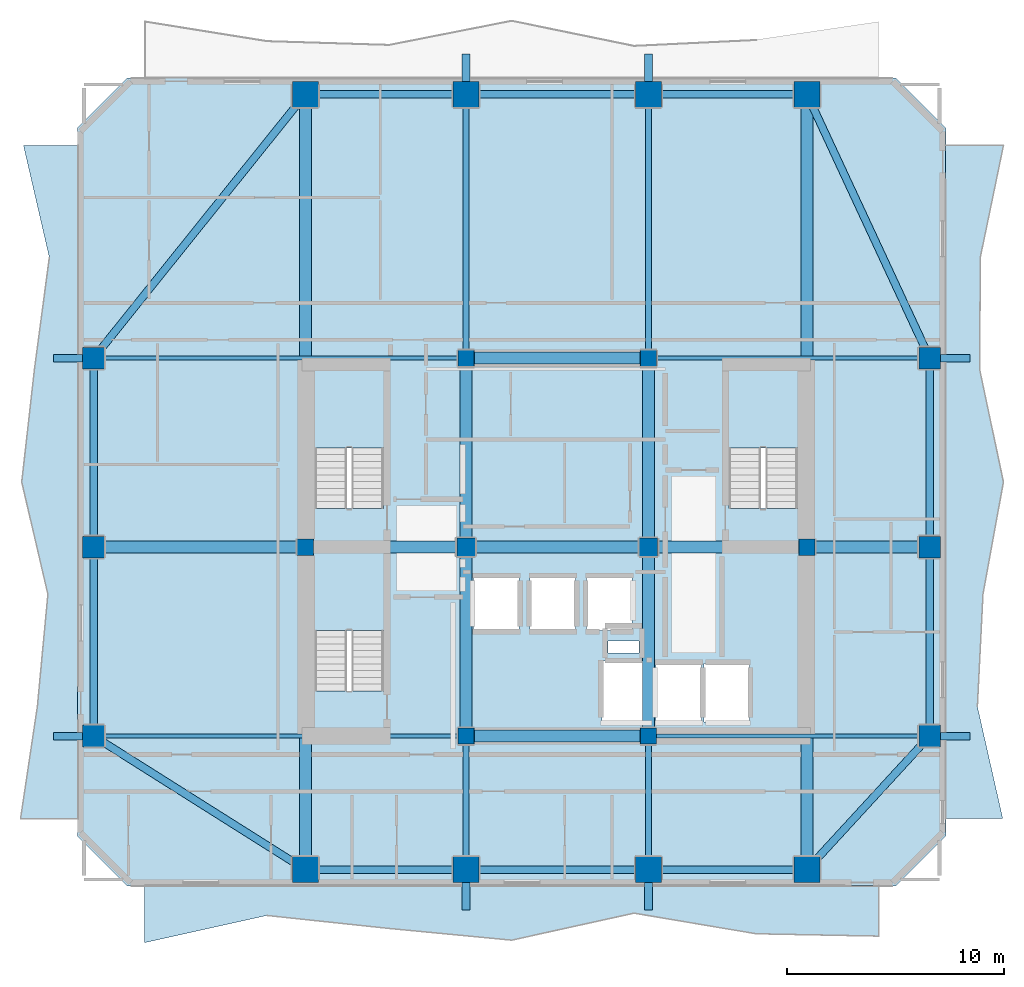
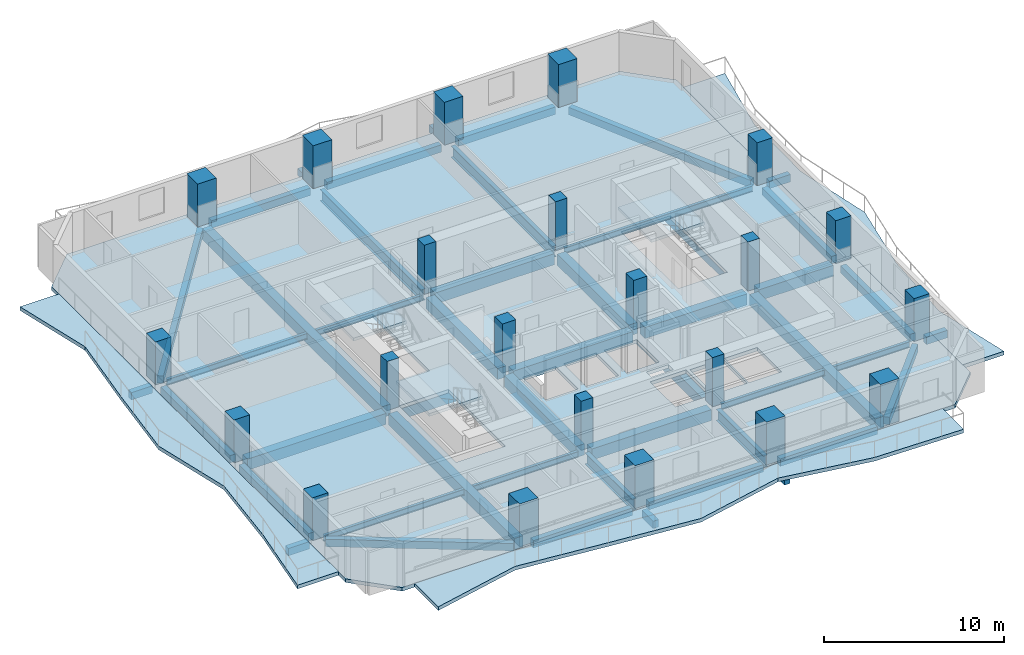
# One storey, part 1 of 10: 45 beams, 22 columns, 7 slabs, 3 elements without a shape of their own.
"""IFC4 building model written with IfcOpenShell, lengths in metres."""

from ifc_helpers import new_model, si_unit, direction, frame, origin, origin_2d, place, context, subcontext, project, spatial, polyline, rectangle, i_section, outline, extrude, material, layer, layer_set, material_profile, profile_set, type_object, element, aggregate, save


model = new_model("IFC4")

# Units and contexts
model_context = context("Model", 3, precision=1e-05, world=origin(), true_north=direction((0.0, 1.0)))
body_context = subcontext(model_context, "Body", "Model", "MODEL_VIEW")
ifc_project = project(units=[si_unit("LENGTHUNIT", "METRE"), si_unit("AREAUNIT", "SQUARE_METRE"), si_unit("VOLUMEUNIT", "CUBIC_METRE"), si_unit("PLANEANGLEUNIT", "RADIAN"), si_unit("MASSUNIT", "GRAM", prefix="KILO")], contexts=[model_context])

# Site, building, storey
site_placement = place(None, origin())
site = spatial("IfcSite", under=ifc_project, at=site_placement, CompositionType="ELEMENT")
building_placement = place(site_placement, origin())
building = spatial("IfcBuilding", under=site, at=building_placement, Name="Solanera Arch Residences", CompositionType="ELEMENT")
storey_placement = place(building_placement, frame((0.0, 0.0, 186.840087890625)))
storey = spatial("IfcBuildingStorey", under=building, at=storey_placement, Name="L54", CompositionType="ELEMENT", Elevation=186.840087890625)

# Columns
ifc_material_1 = material(Name="Concrete C55/67 (f'c = 60 MPa)", Category="concrete")
ifc_material_profile_1 = material_profile(ifc_material_1, rectangle(XDim=1.0, YDim=1.0, at=origin_2d()))
ifc_profile_set_1 = profile_set([ifc_material_profile_1], Name="Concrete C55/67 (f'c = 60 MPa)")
column_type_1 = type_object("IfcColumnType", Name="Structural Column RC-COL-1000X1000", PredefinedType="COLUMN", material=ifc_profile_set_1)
for number, where, z_axis, x_axis, name in (
    (1, (3.64990234375, 22.0, 0.0), (0.0, 0.0, 1.0), (1.0, 0.0, 0.0), "COL-L54-TWR-09"),
    (2, (42.14990234375, 22.0, 0.0), (0.0, 0.0, 1.0), (1.0, 0.0, 0.0), "COL-L54-TWR-10"),
    (3, (3.64990234375, 30.699951171875, 0.0), (0.0, 0.0, 1.0), (1.0, 0.0, 0.0), "COL-L54-TWR-11"),
    (4, (42.14990234375, 30.699951171875, 0.0), (0.0, 0.0, 1.0), (1.0, 0.0, 0.0), "COL-L54-TWR-12"),
    (5, (3.64990234375, 39.39990234375, 0.0), (0.0, 0.0, 1.0), (1.0, 0.0, 0.0), "COL-L54-TWR-13"),
    (6, (42.14990234375, 39.39990234375, 0.0), (0.0, 0.0, 1.0), (1.0, 0.0, 0.0), "COL-L54-TWR-14"),
):
    element("IfcColumn", number, at=place(storey_placement, frame(where, z_axis=z_axis, x_axis=x_axis)), inside=storey, type_object=column_type_1, Name=name, PredefinedType="COLUMN", context=body_context, shape_type="SweptSolid", body=[
        extrude(rectangle(XDim=1.0, YDim=1.0, at=origin_2d()), origin(), (0.0, 0.0, 1.0), 2.89990234375),
    ])
ifc_material_2 = material(Name="Concrete C55/67 (f'c = 60 MPa)", Category="concrete")
ifc_material_profile_2 = material_profile(ifc_material_2, rectangle(XDim=1.199951171875, YDim=1.199951171875, at=origin_2d()))
ifc_profile_set_2 = profile_set([ifc_material_profile_2], Name="Concrete C55/67 (f'c = 60 MPa)")
column_type_2 = type_object("IfcColumnType", Name="Structural Column RC-COL-1200X1200", PredefinedType="COLUMN", material=ifc_profile_set_2)
for number, where, z_axis, x_axis, name in (
    (7, (13.39990234375, 15.85009765625, 0.0), (0.0, 0.0, 1.0), (1.0, 0.0, 0.0), "COL-L54-TWR-01"),
    (8, (13.39990234375, 51.550048828125, 0.0), (0.0, 0.0, 1.0), (1.0, 0.0, 0.0), "COL-L54-TWR-02"),
    (9, (20.800048828125, 15.85009765625, 0.0), (0.0, 0.0, 1.0), (1.0, 0.0, 0.0), "COL-L54-TWR-03"),
    (10, (20.800048828125, 51.550048828125, 0.0), (0.0, 0.0, 1.0), (1.0, 0.0, 0.0), "COL-L54-TWR-04"),
    (11, (29.199951171875, 15.85009765625, 0.0), (0.0, 0.0, 1.0), (1.0, 0.0, 0.0), "COL-L54-TWR-05"),
    (12, (29.199951171875, 51.550048828125, 0.0), (0.0, 0.0, 1.0), (1.0, 0.0, 0.0), "COL-L54-TWR-06"),
    (13, (36.5, 15.85009765625, 0.0), (0.0, 0.0, 1.0), (1.0, 0.0, 0.0), "COL-L54-TWR-07"),
    (14, (36.5, 51.550048828125, 0.0), (0.0, 0.0, 1.0), (1.0, 0.0, 0.0), "COL-L54-TWR-08"),
):
    element("IfcColumn", number, at=place(storey_placement, frame(where, z_axis=z_axis, x_axis=x_axis)), inside=storey, type_object=column_type_2, Name=name, PredefinedType="COLUMN", context=body_context, shape_type="SweptSolid", body=[
        extrude(rectangle(XDim=1.199951171875, YDim=1.199951171875, at=origin_2d()), origin(), (0.0, 0.0, 1.0), 2.89990234375),
    ])
ifc_material_3 = material(Name="Concrete C40/50 (f'c = 45 MPa)", Category="concrete")
ifc_material_profile_3 = material_profile(ifc_material_3, rectangle(XDim=0.75, YDim=0.75, at=origin_2d()))
ifc_profile_set_3 = profile_set([ifc_material_profile_3], Name="Concrete C40/50 (f'c = 45 MPa)")
column_type_3 = type_object("IfcColumnType", Name="Structural Column RC-COL-750X750", PredefinedType="COLUMN", material=ifc_profile_set_3)
for number, where, z_axis, x_axis, name in (
    (15, (20.800048828125, 22.0, 0.0), (0.0, 0.0, 1.0), (1.0, 0.0, 0.0), "COL-L54-CB-SW"),
    (16, (29.199951171875, 22.0, 0.0), (0.0, 0.0, 1.0), (1.0, 0.0, 0.0), "COL-L54-CB-SE"),
    (17, (20.800048828125, 39.39990234375, 0.0), (0.0, 0.0, 1.0), (1.0, 0.0, 0.0), "COL-L54-CB-NW"),
    (18, (29.199951171875, 39.39990234375, 0.0), (0.0, 0.0, 1.0), (1.0, 0.0, 0.0), "COL-L54-CB-NE"),
    (19, (13.39990234375, 30.699951171875, 0.0), (0.0, 0.0, 1.0), (1.0, 0.0, 0.0), "COL-L54-CB-WW"),
    (20, (36.5, 30.699951171875, 0.0), (0.0, 0.0, 1.0), (1.0, 0.0, 0.0), "COL-L54-CB-EE"),
):
    element("IfcColumn", number, at=place(storey_placement, frame(where, z_axis=z_axis, x_axis=x_axis)), inside=storey, type_object=column_type_3, Name=name, PredefinedType="COLUMN", context=body_context, shape_type="SweptSolid", body=[
        extrude(rectangle(XDim=0.75, YDim=0.75, at=origin_2d()), origin(), (0.0, 0.0, 1.0), 3.31982421875),
    ])
ifc_material_4 = material(Name="Concrete C40/50 (f'c = 45 MPa)", Category="concrete")
ifc_material_profile_4 = material_profile(ifc_material_4, rectangle(XDim=0.85009765625, YDim=0.85009765625, at=origin_2d()))
ifc_profile_set_4 = profile_set([ifc_material_profile_4], Name="Concrete C40/50 (f'c = 45 MPa)")
column_type_4 = type_object("IfcColumnType", Name="Structural Column RC-COL-850X850", PredefinedType="COLUMN", material=ifc_profile_set_4)
for number, where, z_axis, x_axis, name in (
    (21, (20.800048828125, 30.699951171875, 0.0), (0.0, 0.0, 1.0), (1.0, 0.0, 0.0), "COL-L54-CORE-W"),
    (22, (29.199951171875, 30.699951171875, 0.0), (0.0, 0.0, 1.0), (1.0, 0.0, 0.0), "COL-L54-CORE-E"),
):
    element("IfcColumn", number, at=place(storey_placement, frame(where, z_axis=z_axis, x_axis=x_axis)), inside=storey, type_object=column_type_4, Name=name, PredefinedType="COLUMN", context=body_context, shape_type="SweptSolid", body=[
        extrude(rectangle(XDim=0.85009765625, YDim=0.85009765625, at=origin_2d()), origin(), (0.0, 0.0, 1.0), 3.31982421875),
    ])

# Beams
ifc_material_5 = material(Name="Concrete C40/50 (f'c = 45 MPa)", Category="concrete")
ifc_material_profile_5 = material_profile(ifc_material_5, rectangle(XDim=0.35009765625, YDim=0.5, at=origin_2d()))
ifc_profile_set_5 = profile_set([ifc_material_profile_5], Name="Concrete C40/50 (f'c = 45 MPa)")
beam_type_1 = type_object("IfcBeamType", Name="BM-BALC-RIB", PredefinedType="BEAM", material=ifc_profile_set_5)
for number, where, z_axis, x_axis, name in (
    (23, (20.800048828125, 14.0, -0.5), (0.0, 1.0, 0.0), (-1.0, 0.0, 0.0), "BM-L54-BRIB-S1"),
    (24, (29.199951171875, 14.0, -0.5), (0.0, 1.0, 0.0), (-1.0, 0.0, 0.0), "BM-L54-BRIB-S2"),
    (25, (20.800048828125, 52.14990234375, -0.5), (0.0, 1.0, 0.0), (-1.0, 0.0, 0.0), "BM-L54-BRIB-N1"),
    (26, (29.199951171875, 52.14990234375, -0.5), (0.0, 1.0, 0.0), (-1.0, 0.0, 0.0), "BM-L54-BRIB-N2"),
):
    element("IfcBeam", number, at=place(storey_placement, frame(where, z_axis=z_axis, x_axis=x_axis)), inside=storey, type_object=beam_type_1, Name=name, PredefinedType="BEAM", context=body_context, shape_type="SweptSolid", body=[
        extrude(rectangle(XDim=0.35009765625, YDim=0.5, at=origin_2d()), origin(), (0.0, 0.0, 1.0), 1.25),
    ])
for number, where, z_axis, x_axis, name in (
    (27, (42.64990234375, 22.0, -0.5), (1.0, 0.0, 0.0), (0.0, 1.0, 0.0), "BM-L54-BRIB-E1"),
    (28, (42.64990234375, 39.39990234375, -0.5), (1.0, 0.0, 0.0), (0.0, 1.0, 0.0), "BM-L54-BRIB-E2"),
):
    element("IfcBeam", number, at=place(storey_placement, frame(where, z_axis=z_axis, x_axis=x_axis)), inside=storey, type_object=beam_type_1, Name=name, PredefinedType="BEAM", context=body_context, shape_type="SweptSolid", body=[
        extrude(rectangle(XDim=0.35009765625, YDim=0.5, at=origin_2d()), origin(), (0.0, 0.0, 1.0), 1.35009765625),
    ])
for number, where, z_axis, x_axis, name in (
    (29, (1.800048828125, 22.0, -0.5), (1.0, 0.0, 0.0), (0.0, 1.0, 0.0), "BM-L54-BRIB-W1"),
    (30, (1.800048828125, 39.39990234375, -0.5), (1.0, 0.0, 0.0), (0.0, 1.0, 0.0), "BM-L54-BRIB-W2"),
):
    element("IfcBeam", number, at=place(storey_placement, frame(where, z_axis=z_axis, x_axis=x_axis)), inside=storey, type_object=beam_type_1, Name=name, PredefinedType="BEAM", context=body_context, shape_type="SweptSolid", body=[
        extrude(rectangle(XDim=0.35009765625, YDim=0.5, at=origin_2d()), origin(), (0.0, 0.0, 1.0), 1.349853515625),
    ])
ifc_material_6 = material(Name="Concrete C40/50 (f'c = 45 MPa)", Category="concrete")
ifc_material_profile_6 = material_profile(ifc_material_6, rectangle(XDim=0.550048828125, YDim=0.75, at=origin_2d()))
ifc_profile_set_6 = profile_set([ifc_material_profile_6], Name="Concrete C40/50 (f'c = 45 MPa)")
beam_type_2 = type_object("IfcBeamType", Name="Primary Beam RC-BM-550X750", PredefinedType="BEAM", material=ifc_profile_set_6)
beam_1_placement = place(storey_placement, frame((20.800048828125, 22.37890625, -0.614990234375), z_axis=(0.0, 1.0, 0.0), x_axis=(-1.0, 0.0, 0.0)))
element("IfcBeam", 31, at=beam_1_placement, inside=storey, type_object=beam_type_2, Name="BM-L54-CC-S-208", PredefinedType="BEAM", context=body_context, shape_type="SweptSolid", body=[
    extrude(rectangle(XDim=0.550048828125, YDim=0.75, at=origin_2d()), origin(), (0.0, 0.0, 1.0), 7.942138671875),
])
beam_2_placement = place(storey_placement, frame((20.800048828125, 31.0791015625, -0.614990234375), z_axis=(0.0, 1.0, 0.0), x_axis=(-1.0, 0.0, 0.0)))
element("IfcBeam", 32, at=beam_2_placement, inside=storey, type_object=beam_type_2, Name="BM-L54-CC-N-208", PredefinedType="BEAM", context=body_context, shape_type="SweptSolid", body=[
    extrude(rectangle(XDim=0.550048828125, YDim=0.75, at=origin_2d()), origin(), (0.0, 0.0, 1.0), 7.94189453125),
])
beam_3_placement = place(storey_placement, frame((29.199951171875, 22.37890625, -0.614990234375), z_axis=(0.0, 1.0, 0.0), x_axis=(-1.0, 0.0, 0.0)))
element("IfcBeam", 33, at=beam_3_placement, inside=storey, type_object=beam_type_2, Name="BM-L54-CC-S-292", PredefinedType="BEAM", context=body_context, shape_type="SweptSolid", body=[
    extrude(rectangle(XDim=0.550048828125, YDim=0.75, at=origin_2d()), origin(), (0.0, 0.0, 1.0), 7.942138671875),
])
beam_4_placement = place(storey_placement, frame((29.199951171875, 31.0791015625, -0.614990234375), z_axis=(0.0, 1.0, 0.0), x_axis=(-1.0, 0.0, 0.0)))
element("IfcBeam", 34, at=beam_4_placement, inside=storey, type_object=beam_type_2, Name="BM-L54-CC-N-292", PredefinedType="BEAM", context=body_context, shape_type="SweptSolid", body=[
    extrude(rectangle(XDim=0.550048828125, YDim=0.75, at=origin_2d()), origin(), (0.0, 0.0, 1.0), 7.94189453125),
])
for number, where, z_axis, x_axis, name in (
    (35, (21.178955078125, 22.0, -0.614990234375), (1.0, 0.0, 0.0), (0.0, 1.0, 0.0), "BM-L54-CC-M-220"),
    (36, (21.178955078125, 30.699951171875, -0.614990234375), (1.0, 0.0, 0.0), (0.0, 1.0, 0.0), "BM-L54-CC-M-307"),
    (37, (21.178955078125, 39.39990234375, -0.614990234375), (1.0, 0.0, 0.0), (0.0, 1.0, 0.0), "BM-L54-CC-M-394"),
):
    element("IfcBeam", number, at=place(storey_placement, frame(where, z_axis=z_axis, x_axis=x_axis)), inside=storey, type_object=beam_type_2, Name=name, PredefinedType="BEAM", context=body_context, shape_type="SweptSolid", body=[
        extrude(rectangle(XDim=0.550048828125, YDim=0.75, at=origin_2d()), origin(), (0.0, 0.0, 1.0), 7.64208984375),
    ])
beam_5_placement = place(storey_placement, frame((13.779052734375, 30.699951171875, -0.614990234375), z_axis=(1.0, 0.0, 0.0), x_axis=(0.0, 1.0, 0.0)))
element("IfcBeam", 38, at=beam_5_placement, inside=storey, type_object=beam_type_2, Name="BM-L54-CC-W", PredefinedType="BEAM", context=body_context, shape_type="SweptSolid", body=[
    extrude(rectangle(XDim=0.550048828125, YDim=0.75, at=origin_2d()), origin(), (0.0, 0.0, 1.0), 6.641845703125),
])
beam_6_placement = place(storey_placement, frame((29.5791015625, 30.699951171875, -0.614990234375), z_axis=(1.0, 0.0, 0.0), x_axis=(0.0, 1.0, 0.0)))
element("IfcBeam", 39, at=beam_6_placement, inside=storey, type_object=beam_type_2, Name="BM-L54-CC-E", PredefinedType="BEAM", context=body_context, shape_type="SweptSolid", body=[
    extrude(rectangle(XDim=0.550048828125, YDim=0.75, at=origin_2d()), origin(), (0.0, 0.0, 1.0), 6.5419921875),
])
beam_7_placement = place(storey_placement, frame((13.39990234375, 16.389892578125, -0.614990234375), z_axis=(0.0, 1.0, 0.0), x_axis=(-1.0, 0.0, 0.0)))
element("IfcBeam", 40, at=beam_7_placement, inside=storey, type_object=beam_type_2, Name="BM-L54-RAD-OS-134", PredefinedType="BEAM", context=body_context, shape_type="SweptSolid", body=[
    extrude(rectangle(XDim=0.550048828125, YDim=0.75, at=origin_2d()), origin(), (0.0, 0.0, 1.0), 13.93115234375),
])
beam_8_placement = place(storey_placement, frame((13.39990234375, 31.0791015625, -0.614990234375), z_axis=(0.0, 1.0, 0.0), x_axis=(-1.0, 0.0, 0.0)))
element("IfcBeam", 41, at=beam_8_placement, inside=storey, type_object=beam_type_2, Name="BM-L54-RAD-ON-134", PredefinedType="BEAM", context=body_context, shape_type="SweptSolid", body=[
    extrude(rectangle(XDim=0.550048828125, YDim=0.75, at=origin_2d()), origin(), (0.0, 0.0, 1.0), 19.930908203125),
])
beam_9_placement = place(storey_placement, frame((36.5, 16.389892578125, -0.614990234375), z_axis=(0.0, 1.0, 0.0), x_axis=(-1.0, 0.0, 0.0)))
element("IfcBeam", 42, at=beam_9_placement, inside=storey, type_object=beam_type_2, Name="BM-L54-RAD-OS-365", PredefinedType="BEAM", context=body_context, shape_type="SweptSolid", body=[
    extrude(rectangle(XDim=0.550048828125, YDim=0.75, at=origin_2d()), origin(), (0.0, 0.0, 1.0), 13.93115234375),
])
beam_10_placement = place(storey_placement, frame((36.5, 31.0791015625, -0.614990234375), z_axis=(0.0, 1.0, 0.0), x_axis=(-1.0, 0.0, 0.0)))
element("IfcBeam", 43, at=beam_10_placement, inside=storey, type_object=beam_type_2, Name="BM-L54-RAD-ON-365", PredefinedType="BEAM", context=body_context, shape_type="SweptSolid", body=[
    extrude(rectangle(XDim=0.550048828125, YDim=0.75, at=origin_2d()), origin(), (0.0, 0.0, 1.0), 19.930908203125),
])
beam_11_placement = place(storey_placement, frame((4.154052734375, 30.699951171875, -0.614990234375), z_axis=(1.0, 0.0, 0.0), x_axis=(0.0, 1.0, 0.0)))
element("IfcBeam", 44, at=beam_11_placement, inside=storey, type_object=beam_type_2, Name="BM-L54-RAD-MW", PredefinedType="BEAM", context=body_context, shape_type="SweptSolid", body=[
    extrude(rectangle(XDim=0.550048828125, YDim=0.75, at=origin_2d()), origin(), (0.0, 0.0, 1.0), 8.866943359375),
])
beam_12_placement = place(storey_placement, frame((36.87890625, 30.699951171875, -0.614990234375), z_axis=(1.0, 0.0, 0.0), x_axis=(0.0, 1.0, 0.0)))
element("IfcBeam", 45, at=beam_12_placement, inside=storey, type_object=beam_type_2, Name="BM-L54-RAD-ME", PredefinedType="BEAM", context=body_context, shape_type="SweptSolid", body=[
    extrude(rectangle(XDim=0.550048828125, YDim=0.75, at=origin_2d()), origin(), (0.0, 0.0, 1.0), 4.76708984375),
])
ifc_material_7 = material(Name="Steel S355 (ASTM A992 / A572 Grade 50)", Category="steel")
ifc_material_profile_7 = material_profile(ifc_material_7, i_section(OverallWidth=0.26806640625, OverallDepth=0.77001953125, WebThickness=0.015625, FlangeThickness=0.025390625, at=origin_2d()))
ifc_profile_set_7 = profile_set([ifc_material_profile_7], Name="Steel S355 (ASTM A992 / A572 Grade 50)")
beam_type_3 = type_object("IfcBeamType", Name="Primary Beam W760X196", PredefinedType="BEAM", material=ifc_profile_set_7)
beam_13_placement = place(storey_placement, frame((20.800048828125, 16.389892578125, -0.625), z_axis=(0.0, 1.0, 0.0), x_axis=(-1.0, 0.0, 0.0)))
element("IfcBeam", 46, at=beam_13_placement, inside=storey, type_object=beam_type_3, Name="BM-L54-RAD-S-208", PredefinedType="BEAM", context=body_context, shape_type="SweptSolid", body=[
    extrude(i_section(OverallWidth=0.26806640625, OverallDepth=0.77001953125, WebThickness=0.015625, FlangeThickness=0.025390625, at=origin_2d()), origin(), (0.0, 0.0, 1.0), 5.231201171875),
])
beam_14_placement = place(storey_placement, frame((20.800048828125, 39.779052734375, -0.625), z_axis=(0.0, 1.0, 0.0), x_axis=(-1.0, 0.0, 0.0)))
element("IfcBeam", 47, at=beam_14_placement, inside=storey, type_object=beam_type_3, Name="BM-L54-RAD-N-208", PredefinedType="BEAM", context=body_context, shape_type="SweptSolid", body=[
    extrude(i_section(OverallWidth=0.26806640625, OverallDepth=0.77001953125, WebThickness=0.015625, FlangeThickness=0.025390625, at=origin_2d()), origin(), (0.0, 0.0, 1.0), 11.23095703125),
])
beam_15_placement = place(storey_placement, frame((29.199951171875, 16.389892578125, -0.625), z_axis=(0.0, 1.0, 0.0), x_axis=(-1.0, 0.0, 0.0)))
element("IfcBeam", 48, at=beam_15_placement, inside=storey, type_object=beam_type_3, Name="BM-L54-RAD-S-292", PredefinedType="BEAM", context=body_context, shape_type="SweptSolid", body=[
    extrude(i_section(OverallWidth=0.26806640625, OverallDepth=0.77001953125, WebThickness=0.015625, FlangeThickness=0.025390625, at=origin_2d()), origin(), (0.0, 0.0, 1.0), 5.231201171875),
])
beam_16_placement = place(storey_placement, frame((29.199951171875, 39.779052734375, -0.625), z_axis=(0.0, 1.0, 0.0), x_axis=(-1.0, 0.0, 0.0)))
element("IfcBeam", 49, at=beam_16_placement, inside=storey, type_object=beam_type_3, Name="BM-L54-RAD-N-292", PredefinedType="BEAM", context=body_context, shape_type="SweptSolid", body=[
    extrude(i_section(OverallWidth=0.26806640625, OverallDepth=0.77001953125, WebThickness=0.015625, FlangeThickness=0.025390625, at=origin_2d()), origin(), (0.0, 0.0, 1.0), 11.23095703125),
])
ifc_material_8 = material(Name="Steel S355 (ASTM A992 / A572 Grade 50)", Category="steel")
ifc_material_profile_8 = material_profile(ifc_material_8, i_section(OverallWidth=0.178955078125, OverallDepth=0.409912109375, WebThickness=0.0087890625, FlangeThickness=0.014404296875, at=origin_2d()))
ifc_profile_set_8 = profile_set([ifc_material_profile_8], Name="Steel S355 (ASTM A992 / A572 Grade 50)")
beam_type_4 = type_object("IfcBeamType", Name="Secondary Joist W410X67", PredefinedType="JOIST", material=ifc_profile_set_8)
beam_17_placement = place(storey_placement, frame((4.154052734375, 22.0, -0.445068359375), z_axis=(1.0, 0.0, 0.0), x_axis=(0.0, 1.0, 0.0)))
element("IfcBeam", 50, at=beam_17_placement, inside=storey, type_object=beam_type_4, Name="BM-L54-RAD-W-220", PredefinedType="JOIST", context=body_context, shape_type="SweptSolid", body=[
    extrude(i_section(OverallWidth=0.178955078125, OverallDepth=0.409912109375, WebThickness=0.0087890625, FlangeThickness=0.014404296875, at=origin_2d()), origin(), (0.0, 0.0, 1.0), 16.266845703125),
])
beam_18_placement = place(storey_placement, frame((29.5791015625, 22.0, -0.445068359375), z_axis=(1.0, 0.0, 0.0), x_axis=(0.0, 1.0, 0.0)))
element("IfcBeam", 51, at=beam_18_placement, inside=storey, type_object=beam_type_4, Name="BM-L54-RAD-E-220", PredefinedType="JOIST", context=body_context, shape_type="SweptSolid", body=[
    extrude(i_section(OverallWidth=0.178955078125, OverallDepth=0.409912109375, WebThickness=0.0087890625, FlangeThickness=0.014404296875, at=origin_2d()), origin(), (0.0, 0.0, 1.0), 12.06689453125),
])
beam_19_placement = place(storey_placement, frame((4.154052734375, 39.39990234375, -0.445068359375), z_axis=(1.0, 0.0, 0.0), x_axis=(0.0, 1.0, 0.0)))
element("IfcBeam", 52, at=beam_19_placement, inside=storey, type_object=beam_type_4, Name="BM-L54-RAD-W-394", PredefinedType="JOIST", context=body_context, shape_type="SweptSolid", body=[
    extrude(i_section(OverallWidth=0.178955078125, OverallDepth=0.409912109375, WebThickness=0.0087890625, FlangeThickness=0.014404296875, at=origin_2d()), origin(), (0.0, 0.0, 1.0), 16.266845703125),
])
beam_20_placement = place(storey_placement, frame((29.5791015625, 39.39990234375, -0.445068359375), z_axis=(1.0, 0.0, 0.0), x_axis=(0.0, 1.0, 0.0)))
element("IfcBeam", 53, at=beam_20_placement, inside=storey, type_object=beam_type_4, Name="BM-L54-RAD-E-394", PredefinedType="JOIST", context=body_context, shape_type="SweptSolid", body=[
    extrude(i_section(OverallWidth=0.178955078125, OverallDepth=0.409912109375, WebThickness=0.0087890625, FlangeThickness=0.014404296875, at=origin_2d()), origin(), (0.0, 0.0, 1.0), 12.06689453125),
])
ifc_material_9 = material(Name="Concrete C40/50 (f'c = 45 MPa)", Category="concrete")
ifc_material_profile_9 = material_profile(ifc_material_9, rectangle(XDim=0.35009765625, YDim=0.5, at=origin_2d()))
ifc_profile_set_9 = profile_set([ifc_material_profile_9], Name="Concrete C40/50 (f'c = 45 MPa)")
beam_type_5 = type_object("IfcBeamType", Name="Spandrel Beam RC-BM-350X500", PredefinedType="SPANDREL", material=ifc_profile_set_9)
for number, where, z_axis, x_axis, name in (
    (54, (13.93994140625, 15.85009765625, -0.489990234375), (1.0, 0.0, 0.0), (0.0, 1.0, 0.0), "BM-L54-SPN-S-1"),
    (55, (13.93994140625, 51.550048828125, -0.489990234375), (1.0, 0.0, 0.0), (0.0, 1.0, 0.0), "BM-L54-SPN-N-1"),
):
    element("IfcBeam", number, at=place(storey_placement, frame(where, z_axis=z_axis, x_axis=x_axis)), inside=storey, type_object=beam_type_5, Name=name, PredefinedType="SPANDREL", context=body_context, shape_type="SweptSolid", body=[
        extrude(rectangle(XDim=0.35009765625, YDim=0.5, at=origin_2d()), origin(), (0.0, 0.0, 1.0), 6.320068359375),
    ])
for number, where, z_axis, x_axis, name in (
    (56, (21.340087890625, 15.85009765625, -0.489990234375), (1.0, 0.0, 0.0), (0.0, 1.0, 0.0), "BM-L54-SPN-S-2"),
    (57, (21.340087890625, 51.550048828125, -0.489990234375), (1.0, 0.0, 0.0), (0.0, 1.0, 0.0), "BM-L54-SPN-N-2"),
):
    element("IfcBeam", number, at=place(storey_placement, frame(where, z_axis=z_axis, x_axis=x_axis)), inside=storey, type_object=beam_type_5, Name=name, PredefinedType="SPANDREL", context=body_context, shape_type="SweptSolid", body=[
        extrude(rectangle(XDim=0.35009765625, YDim=0.5, at=origin_2d()), origin(), (0.0, 0.0, 1.0), 7.31982421875),
    ])
for number, where, z_axis, x_axis, name in (
    (58, (29.739990234375, 15.85009765625, -0.489990234375), (1.0, 0.0, 0.0), (0.0, 1.0, 0.0), "BM-L54-SPN-S-3"),
    (59, (29.739990234375, 51.550048828125, -0.489990234375), (1.0, 0.0, 0.0), (0.0, 1.0, 0.0), "BM-L54-SPN-N-3"),
):
    element("IfcBeam", number, at=place(storey_placement, frame(where, z_axis=z_axis, x_axis=x_axis)), inside=storey, type_object=beam_type_5, Name=name, PredefinedType="SPANDREL", context=body_context, shape_type="SweptSolid", body=[
        extrude(rectangle(XDim=0.35009765625, YDim=0.5, at=origin_2d()), origin(), (0.0, 0.0, 1.0), 6.219970703125),
    ])
for number, where, z_axis, x_axis, name in (
    (60, (3.64990234375, 22.50390625, -0.489990234375), (0.0, 1.0, 0.0), (-1.0, 0.0, 0.0), "BM-L54-SPN-W-1"),
    (61, (42.14990234375, 22.50390625, -0.489990234375), (0.0, 1.0, 0.0), (-1.0, 0.0, 0.0), "BM-L54-SPN-E-1"),
):
    element("IfcBeam", number, at=place(storey_placement, frame(where, z_axis=z_axis, x_axis=x_axis)), inside=storey, type_object=beam_type_5, Name=name, PredefinedType="SPANDREL", context=body_context, shape_type="SweptSolid", body=[
        extrude(rectangle(XDim=0.35009765625, YDim=0.5, at=origin_2d()), origin(), (0.0, 0.0, 1.0), 7.692138671875),
    ])
for number, where, z_axis, x_axis, name in (
    (62, (3.64990234375, 31.2041015625, -0.489990234375), (0.0, 1.0, 0.0), (-1.0, 0.0, 0.0), "BM-L54-SPN-W-2"),
    (63, (42.14990234375, 31.2041015625, -0.489990234375), (0.0, 1.0, 0.0), (-1.0, 0.0, 0.0), "BM-L54-SPN-E-2"),
):
    element("IfcBeam", number, at=place(storey_placement, frame(where, z_axis=z_axis, x_axis=x_axis)), inside=storey, type_object=beam_type_5, Name=name, PredefinedType="SPANDREL", context=body_context, shape_type="SweptSolid", body=[
        extrude(rectangle(XDim=0.35009765625, YDim=0.5, at=origin_2d()), origin(), (0.0, 0.0, 1.0), 7.69189453125),
    ])
beam_21_placement = place(storey_placement, frame((12.943115234375, 16.137939453125, -0.489990234375), z_axis=(-0.845781416305, 0.53352956416, 0.0), x_axis=(-0.53352956416, -0.845781416305, 0.0)))
element("IfcBeam", 64, at=beam_21_placement, inside=storey, type_object=beam_type_5, Name="BM-L54-SPN-SW", PredefinedType="SPANDREL", context=body_context, shape_type="SweptSolid", body=[
    extrude(rectangle(XDim=0.35009765625, YDim=0.5, at=origin_2d()), origin(), (0.0, 0.0, 1.0), 10.447265625),
])
beam_22_placement = place(storey_placement, frame((13.06201171875, 51.12890625, -0.489990234375), z_axis=(-0.625858715022, -0.77993645179, 0.0), x_axis=(0.77993645179, -0.625858715022, 0.0)))
element("IfcBeam", 65, at=beam_22_placement, inside=storey, type_object=beam_type_5, Name="BM-L54-SPN-NW", PredefinedType="SPANDREL", context=body_context, shape_type="SweptSolid", body=[
    extrude(rectangle(XDim=0.35009765625, YDim=0.5, at=origin_2d()), origin(), (0.0, 0.0, 1.0), 14.49853515625),
])
beam_23_placement = place(storey_placement, frame((36.864990234375, 16.248046875, -0.489990234375), z_axis=(0.67662725737, 0.736325712293, 0.0), x_axis=(-0.736325712293, 0.67662725737, 0.0)))
element("IfcBeam", 66, at=beam_23_placement, inside=storey, type_object=beam_type_5, Name="BM-L54-SPN-SE", PredefinedType="SPANDREL", context=body_context, shape_type="SweptSolid", body=[
    extrude(rectangle(XDim=0.35009765625, YDim=0.5, at=origin_2d()), origin(), (0.0, 0.0, 1.0), 7.271240234375),
])
beam_24_placement = place(storey_placement, frame((36.72802734375, 51.06005859375, -0.489990234375), z_axis=(0.421641700363, -0.906762524874, 0.0), x_axis=(0.906762524874, 0.421641700363, 0.0)))
element("IfcBeam", 67, at=beam_24_placement, inside=storey, type_object=beam_type_5, Name="BM-L54-SPN-NE", PredefinedType="SPANDREL", context=body_context, shape_type="SweptSolid", body=[
    extrude(rectangle(XDim=0.35009765625, YDim=0.5, at=origin_2d()), origin(), (0.0, 0.0, 1.0), 12.31884765625),
])

# Slabs
ifc_material_10 = material(Name="Concrete C40/50 (f'c = 45 MPa)", Category="concrete")
ifc_layer_1 = layer(ifc_material_10, 0.25)
ifc_layer_set_1 = layer_set([ifc_layer_1], Name="Concrete C40/50 (f'c = 45 MPa)")
slab_type_1 = type_object("IfcSlabType", Name="Balcony Slab 250", PredefinedType="FLOOR", material=ifc_layer_set_1)
slab_1_placement = place(storey_placement, frame((0.0, 0.0, -0.25)))
element("IfcSlab", 68, at=slab_1_placement, inside=storey, type_object=slab_type_1, Name="L54 S Rippling Brise-Soleil Balcony Slab", PredefinedType="FLOOR", context=body_context, shape_type="SweptSolid", body=[
    extrude(outline(polyline([(6.0, 12.485107421875), (11.633056640625, 13.739990234375), (17.26708984375, 13.14111328125), (22.89990234375, 12.60205078125), (28.532958984375, 13.845947265625), (34.1669921875, 12.89697265625), (39.800048828125, 12.7890625), (39.800048828125, 15.1201171875), (6.0, 15.1201171875), (6.0, 12.485107421875)])), origin(), (0.0, 0.0, 1.0), 0.25),
])
slab_2_placement = place(storey_placement, frame((0.0, 0.0, -0.25)))
element("IfcSlab", 69, at=slab_2_placement, inside=storey, type_object=slab_type_1, Name="L54 E Rippling Brise-Soleil Balcony Slab", PredefinedType="FLOOR", context=body_context, shape_type="SweptSolid", body=[
    extrude(outline(polyline([(45.514892578125, 18.199951171875), (44.344970703125, 23.366943359375), (44.60302734375, 28.532958984375), (45.544921875, 33.699951171875), (44.452880859375, 38.866943359375), (44.47705078125, 44.032958984375), (45.548095703125, 49.199951171875), (42.8798828125, 49.199951171875), (42.8798828125, 18.199951171875), (45.514892578125, 18.199951171875)])), origin(), (0.0, 0.0, 1.0), 0.25),
])
slab_3_placement = place(storey_placement, frame((0.0, 0.0, -0.25)))
element("IfcSlab", 70, at=slab_3_placement, inside=storey, type_object=slab_type_1, Name="L54 W Rippling Brise-Soleil Balcony Slab", PredefinedType="FLOOR", context=body_context, shape_type="SweptSolid", body=[
    extrude(outline(polyline([(0.419921875, 49.199951171875), (1.612060546875, 44.032958984375), (0.923095703125, 38.866943359375), (0.341064453125, 33.699951171875), (1.544921875, 28.532958984375), (1.06201171875, 23.366943359375), (0.284912109375, 18.199951171875), (2.919921875, 18.199951171875), (2.919921875, 49.199951171875), (0.419921875, 49.199951171875)])), origin(), (0.0, 0.0, 1.0), 0.25),
])

# Stair, slab
ifc_material_11 = material(Name="Concrete C40/50 (f'c = 45 MPa)", Category="concrete")
stair_type = type_object("IfcStairType", Name="Tower Dogleg Exit Stair 1480", PredefinedType="HALF_TURN_STAIR", material=ifc_material_11)
stair_1_placement = place(storey_placement, origin())
stair_1 = element("IfcStair", 71, at=stair_1_placement, inside=storey, type_object=stair_type, Name="L54 Tower Core Exit Stair 1", PredefinedType="HALF_TURN_STAIR")
ifc_material_12 = material(Name="Concrete C40/50 (f'c = 45 MPa)", Category="concrete")
ifc_layer_2 = layer(ifc_material_12, 0.199951171875)
ifc_layer_set_2 = layer_set([ifc_layer_2], Name="Concrete C40/50 (f'c = 45 MPa)")
slab_type_2 = type_object("IfcSlabType", Name="Stair Half-Landing Slab 200", PredefinedType="LANDING", material=ifc_layer_set_2)
slab_4_placement = place(storey_placement, frame((0.0, 0.0, 1.4599609375)))
slab_4 = element("IfcSlab", 72, at=slab_4_placement, type_object=slab_type_2, Name="ST-T1 landing 1", PredefinedType="LANDING", context=body_context, shape_type="SweptSolid", body=[
    extrude(outline(polyline([(17.1201171875, 35.260009765625), (17.1201171875, 38.919921875), (13.719970703125, 38.919921875), (13.719970703125, 35.260009765625), (17.1201171875, 35.260009765625)])), origin(), (0.0, 0.0, 1.0), 0.199951171875),
])
aggregate(stair_1, [slab_4])

stair_2_placement = place(storey_placement, origin())
stair_2 = element("IfcStair", 73, at=stair_2_placement, inside=storey, type_object=stair_type, Name="L54 Tower Core Exit Stair 2", PredefinedType="HALF_TURN_STAIR")
slab_5_placement = place(storey_placement, frame((0.0, 0.0, 1.4599609375)))
slab_5 = element("IfcSlab", 74, at=slab_5_placement, type_object=slab_type_2, Name="ST-T2 landing 1", PredefinedType="LANDING", context=body_context, shape_type="SweptSolid", body=[
    extrude(outline(polyline([(36.179931640625, 35.260009765625), (36.179931640625, 38.919921875), (32.780029296875, 38.919921875), (32.780029296875, 35.260009765625), (36.179931640625, 35.260009765625)])), origin(), (0.0, 0.0, 1.0), 0.199951171875),
])
aggregate(stair_2, [slab_5])

stair_3_placement = place(storey_placement, origin())
stair_3 = element("IfcStair", 75, at=stair_3_placement, inside=storey, type_object=stair_type, Name="L54 Tower Core Exit Stair 3", PredefinedType="HALF_TURN_STAIR")
slab_6_placement = place(storey_placement, frame((0.0, 0.0, 1.4599609375)))
slab_6 = element("IfcSlab", 76, at=slab_6_placement, type_object=slab_type_2, Name="ST-T3 landing 1", PredefinedType="LANDING", context=body_context, shape_type="SweptSolid", body=[
    extrude(outline(polyline([(17.1201171875, 26.860107421875), (17.1201171875, 30.52001953125), (13.719970703125, 30.52001953125), (13.719970703125, 26.860107421875), (17.1201171875, 26.860107421875)])), origin(), (0.0, 0.0, 1.0), 0.199951171875),
])
aggregate(stair_3, [slab_6])

# Slab
ifc_material_13 = material(Name="Concrete C40/50 (f'c = 45 MPa)", Category="concrete")
ifc_layer_3 = layer(ifc_material_13, 0.239990234375)
ifc_layer_set_3 = layer_set([ifc_layer_3], Name="Concrete C40/50 (f'c = 45 MPa)")
slab_type_3 = type_object("IfcSlabType", Name="Suspended Floor Slab Post-Tensioned 240", PredefinedType="FLOOR", material=ifc_layer_set_3)
slab_7_placement = place(storey_placement, frame((0.0, 0.0, -0.239990234375)))
element("IfcSlab", 77, at=slab_7_placement, inside=storey, type_object=slab_type_3, Name="L54 Tower Post-Tensioned Floor Slab", PredefinedType="FLOOR", context=body_context, shape_type="SweptSolid", body=[
    extrude(outline(polyline([(5.199951171875, 15.10009765625), (40.60009765625, 15.10009765625), (42.89990234375, 17.39990234375), (42.89990234375, 50.0), (40.60009765625, 52.300048828125), (5.199951171875, 52.300048828125), (2.89990234375, 50.0), (2.89990234375, 17.39990234375), (5.199951171875, 15.10009765625)]), holes=[polyline([(13.840087890625, 32.48291015625), (13.840087890625, 38.800048828125), (17.0, 38.800048828125), (17.0, 32.48291015625), (13.840087890625, 32.48291015625)]), polyline([(32.89990234375, 32.48291015625), (32.89990234375, 38.800048828125), (36.06005859375, 38.800048828125), (36.06005859375, 32.48291015625), (32.89990234375, 32.48291015625)]), polyline([(13.840087890625, 24.0830078125), (13.840087890625, 30.39990234375), (17.0, 30.39990234375), (17.0, 24.0830078125), (13.840087890625, 24.0830078125)]), polyline([(21.14990234375, 29.35009765625), (23.25, 29.35009765625), (23.25, 26.85009765625), (21.14990234375, 26.85009765625), (21.14990234375, 29.35009765625)]), polyline([(23.75, 29.35009765625), (25.85009765625, 29.35009765625), (25.85009765625, 26.85009765625), (23.75, 26.85009765625), (23.75, 29.35009765625)]), polyline([(26.35009765625, 29.35009765625), (28.449951171875, 29.35009765625), (28.449951171875, 26.85009765625), (26.35009765625, 26.85009765625), (26.35009765625, 29.35009765625)]), polyline([(29.550048828125, 25.35009765625), (31.64990234375, 25.35009765625), (31.64990234375, 22.64990234375), (29.550048828125, 22.64990234375), (29.550048828125, 25.35009765625)]), polyline([(31.75, 25.35009765625), (33.85009765625, 25.35009765625), (33.85009765625, 22.64990234375), (31.75, 22.64990234375), (31.75, 25.35009765625)]), polyline([(27.050048828125, 25.449951171875), (29.35009765625, 25.449951171875), (29.35009765625, 22.64990234375), (27.050048828125, 22.64990234375), (27.050048828125, 25.449951171875)]), polyline([(27.340087890625, 26.3798828125), (28.760009765625, 26.3798828125), (28.760009765625, 25.820068359375), (27.340087890625, 25.820068359375), (27.340087890625, 26.3798828125)])]), origin(), (0.0, 0.0, 1.0), 0.239990234375),
])

save(model, "model.ifc")
